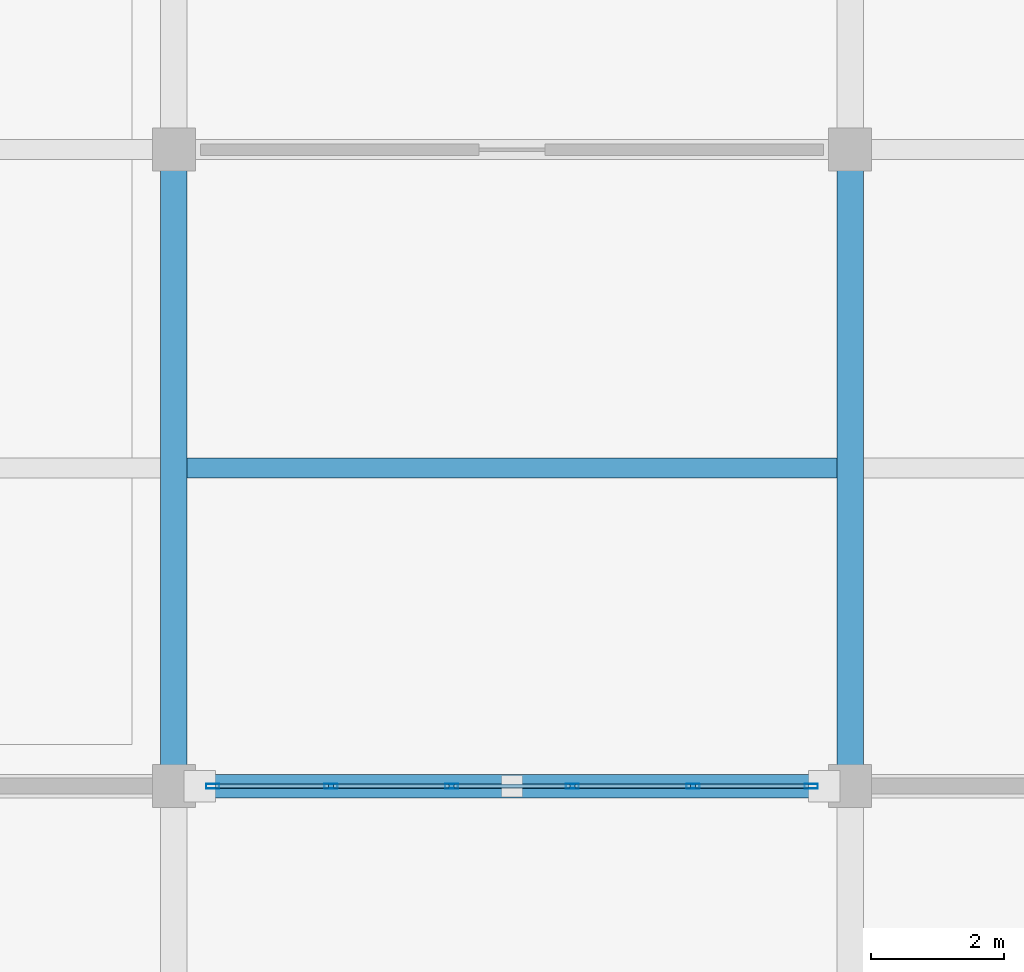
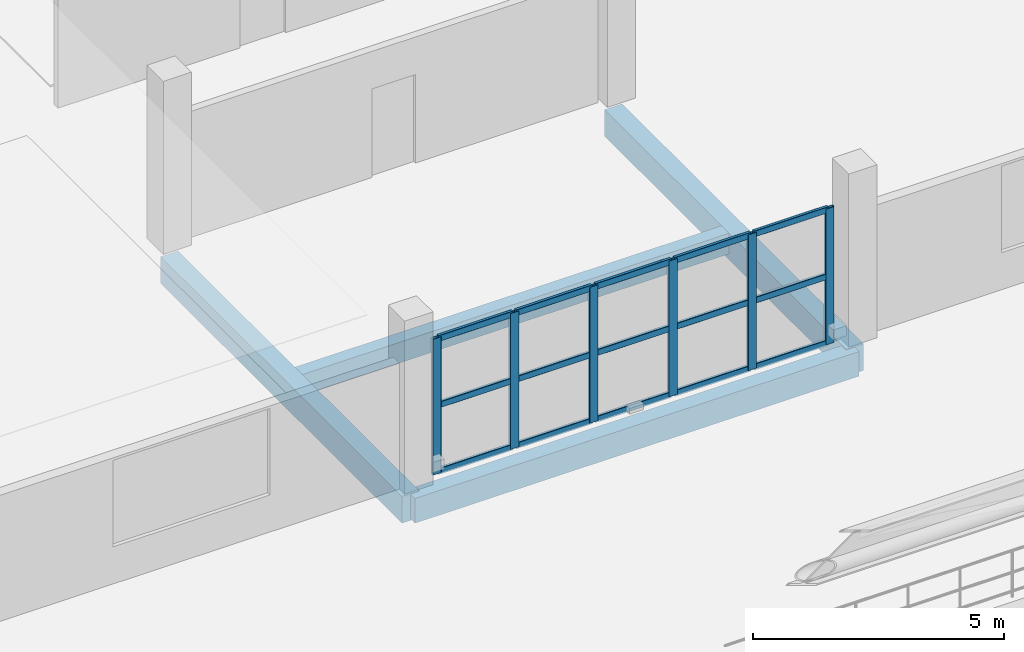
# One storey, part 44 of 135: 21 members, 4 beams, 1 element without a shape of its own.
"""IFC4 building model written with IfcOpenShell, lengths in metres."""

from ifc_helpers import new_model, si_unit, direction, frame, origin, origin_2d, place, context, subcontext, project, spatial, rectangle, hollow_rectangle, extrude, material, material_profile, profile_set, type_object, element, aggregate, save


model = new_model("IFC4")

# Units and contexts
model_context = context("Model", 3, precision=1e-05, world=origin(), true_north=direction((0.0, 1.0)))
body_context = subcontext(model_context, "Body", "Model", "MODEL_VIEW")
ifc_project = project(units=[si_unit("LENGTHUNIT", "METRE"), si_unit("AREAUNIT", "SQUARE_METRE"), si_unit("VOLUMEUNIT", "CUBIC_METRE"), si_unit("PLANEANGLEUNIT", "RADIAN"), si_unit("MASSUNIT", "GRAM", prefix="KILO")], contexts=[model_context])

# Site, building, storey
site_placement = place(None, origin())
site = spatial("IfcSite", under=ifc_project, at=site_placement, CompositionType="ELEMENT")
building_placement = place(site_placement, origin())
building = spatial("IfcBuilding", under=site, at=building_placement, Name="Brelvane Convention Centre", CompositionType="ELEMENT")
storey_placement = place(building_placement, frame((0.0, 0.0, 15.0)))
storey = spatial("IfcBuildingStorey", under=building, at=storey_placement, Name="L03", CompositionType="ELEMENT", Elevation=15.0)

# Curtain wall, members
ifc_material_1 = material(Name="Anodised Aluminium Alloy 6063-T6", Category="aluminium")
curtain_wall_type = type_object("IfcCurtainWallType", Name="Curtain Wall CW-COURT", PredefinedType="USERDEFINED", material=ifc_material_1)
curtain_wall_placement = place(storey_placement, origin())
curtain_wall = element("IfcCurtainWall", 1, at=curtain_wall_placement, inside=storey, type_object=curtain_wall_type, Name="Curtain Wall CW-COURT L03-V4S-09", ObjectType="UNITISED", PredefinedType="USERDEFINED")
ifc_material_2 = material(Name="Anodised Aluminium Alloy 6063-T6", Category="aluminium")
ifc_material_profile_1 = material_profile(ifc_material_2, hollow_rectangle(XDim=0.074951171875, YDim=0.199951171875, WallThickness=0.0048828125, InnerFilletRadius=0.0048828125, OuterFilletRadius=0.010009765625, at=origin_2d()), Name="ALU-M 200x75x5.0")
ifc_profile_set_1 = profile_set([ifc_material_profile_1], Name="Anodised Aluminium Alloy 6063-T6")
member_type_1 = type_object("IfcMemberType", Name="Curtain Mullion CW-M2", PredefinedType="MULLION", material=ifc_profile_set_1)
member_1_placement = place(storey_placement, frame((82.1875, 109.199951171875, 0.0), z_axis=(0.0, 0.0, 1.0), x_axis=(0.0, 1.0, 0.0)))
member_1 = element("IfcMember", 2, at=member_1_placement, type_object=member_type_1, Name="CW-COURT mullion 1", PredefinedType="MULLION", context=body_context, shape_type="SweptSolid", body=[
    extrude(hollow_rectangle(XDim=0.074951171875, YDim=0.199951171875, WallThickness=0.0048828125, InnerFilletRadius=0.0048828125, OuterFilletRadius=0.010009765625, at=origin_2d()), origin(), (0.0, 0.0, 1.0), 3.300048828125),
])
member_2_placement = place(storey_placement, frame((83.969970703125, 109.199951171875, 0.0), z_axis=(0.0, 0.0, 1.0), x_axis=(0.0, 1.0, 0.0)))
member_2 = element("IfcMember", 3, at=member_2_placement, type_object=member_type_1, Name="CW-COURT mullion 2", PredefinedType="MULLION", context=body_context, shape_type="SweptSolid", body=[
    extrude(hollow_rectangle(XDim=0.074951171875, YDim=0.199951171875, WallThickness=0.0048828125, InnerFilletRadius=0.0048828125, OuterFilletRadius=0.010009765625, at=origin_2d()), origin(), (0.0, 0.0, 1.0), 3.300048828125),
])
member_3_placement = place(storey_placement, frame((85.7900390625, 109.199951171875, 0.0), z_axis=(0.0, 0.0, 1.0), x_axis=(0.0, 1.0, 0.0)))
member_3 = element("IfcMember", 4, at=member_3_placement, type_object=member_type_1, Name="CW-COURT mullion 3", PredefinedType="MULLION", context=body_context, shape_type="SweptSolid", body=[
    extrude(hollow_rectangle(XDim=0.074951171875, YDim=0.199951171875, WallThickness=0.0048828125, InnerFilletRadius=0.0048828125, OuterFilletRadius=0.010009765625, at=origin_2d()), origin(), (0.0, 0.0, 1.0), 3.300048828125),
])
member_4_placement = place(storey_placement, frame((87.610107421875, 109.199951171875, 0.0), z_axis=(0.0, 0.0, 1.0), x_axis=(0.0, 1.0, 0.0)))
member_4 = element("IfcMember", 5, at=member_4_placement, type_object=member_type_1, Name="CW-COURT mullion 4", PredefinedType="MULLION", context=body_context, shape_type="SweptSolid", body=[
    extrude(hollow_rectangle(XDim=0.074951171875, YDim=0.199951171875, WallThickness=0.0048828125, InnerFilletRadius=0.0048828125, OuterFilletRadius=0.010009765625, at=origin_2d()), origin(), (0.0, 0.0, 1.0), 3.300048828125),
])
member_5_placement = place(storey_placement, frame((89.429931640625, 109.199951171875, 0.0), z_axis=(0.0, 0.0, 1.0), x_axis=(0.0, 1.0, 0.0)))
member_5 = element("IfcMember", 6, at=member_5_placement, type_object=member_type_1, Name="CW-COURT mullion 5", PredefinedType="MULLION", context=body_context, shape_type="SweptSolid", body=[
    extrude(hollow_rectangle(XDim=0.074951171875, YDim=0.199951171875, WallThickness=0.0048828125, InnerFilletRadius=0.0048828125, OuterFilletRadius=0.010009765625, at=origin_2d()), origin(), (0.0, 0.0, 1.0), 3.300048828125),
])
member_6_placement = place(storey_placement, frame((91.21240234375, 109.199951171875, 0.0), z_axis=(0.0, 0.0, 1.0), x_axis=(0.0, 1.0, 0.0)))
member_6 = element("IfcMember", 7, at=member_6_placement, type_object=member_type_1, Name="CW-COURT mullion 6", PredefinedType="MULLION", context=body_context, shape_type="SweptSolid", body=[
    extrude(hollow_rectangle(XDim=0.074951171875, YDim=0.199951171875, WallThickness=0.0048828125, InnerFilletRadius=0.0048828125, OuterFilletRadius=0.010009765625, at=origin_2d()), origin(), (0.0, 0.0, 1.0), 3.300048828125),
])
ifc_material_3 = material(Name="Anodised Aluminium Alloy 6063-T6", Category="aluminium")
ifc_material_profile_2 = material_profile(ifc_material_3, hollow_rectangle(XDim=0.070068359375, YDim=0.14990234375, WallThickness=0.00439453125, InnerFilletRadius=0.00439453125, OuterFilletRadius=0.009033203125, at=origin_2d()), Name="ALU-T 150x70x4.5")
ifc_profile_set_2 = profile_set([ifc_material_profile_2], Name="Anodised Aluminium Alloy 6063-T6")
member_type_2 = type_object("IfcMemberType", Name="Curtain Transom CW-T2", PredefinedType="USERDEFINED", material=ifc_profile_set_2)
member_7_placement = place(storey_placement, frame((82.22509765625, 109.199951171875, 0.034912109375), z_axis=(1.0, 0.0, 0.0), x_axis=(0.0, 1.0, 0.0)))
member_7 = element("IfcMember", 8, at=member_7_placement, type_object=member_type_2, Name="CW-COURT transom 1.1", ObjectType="TRANSOM", PredefinedType="USERDEFINED", context=body_context, shape_type="SweptSolid", body=[
    extrude(hollow_rectangle(XDim=0.070068359375, YDim=0.14990234375, WallThickness=0.00439453125, InnerFilletRadius=0.00439453125, OuterFilletRadius=0.009033203125, at=origin_2d()), origin(), (0.0, 0.0, 1.0), 1.70751953125),
])
member_8_placement = place(storey_placement, frame((82.22509765625, 109.199951171875, 1.64990234375), z_axis=(1.0, 0.0, 0.0), x_axis=(0.0, 1.0, 0.0)))
member_8 = element("IfcMember", 9, at=member_8_placement, type_object=member_type_2, Name="CW-COURT transom 1.2", ObjectType="TRANSOM", PredefinedType="USERDEFINED", context=body_context, shape_type="SweptSolid", body=[
    extrude(hollow_rectangle(XDim=0.070068359375, YDim=0.14990234375, WallThickness=0.00439453125, InnerFilletRadius=0.00439453125, OuterFilletRadius=0.009033203125, at=origin_2d()), origin(), (0.0, 0.0, 1.0), 1.70751953125),
])
member_9_placement = place(storey_placement, frame((82.22509765625, 109.199951171875, 3.264892578125), z_axis=(1.0, 0.0, 0.0), x_axis=(0.0, 1.0, 0.0)))
member_9 = element("IfcMember", 10, at=member_9_placement, type_object=member_type_2, Name="CW-COURT transom 1.3", ObjectType="TRANSOM", PredefinedType="USERDEFINED", context=body_context, shape_type="SweptSolid", body=[
    extrude(hollow_rectangle(XDim=0.070068359375, YDim=0.14990234375, WallThickness=0.00439453125, InnerFilletRadius=0.00439453125, OuterFilletRadius=0.009033203125, at=origin_2d()), origin(), (0.0, 0.0, 1.0), 1.70751953125),
])
member_10_placement = place(storey_placement, frame((84.007568359375, 109.199951171875, 0.034912109375), z_axis=(1.0, 0.0, 0.0), x_axis=(0.0, 1.0, 0.0)))
member_10 = element("IfcMember", 11, at=member_10_placement, type_object=member_type_2, Name="CW-COURT transom 2.1", ObjectType="TRANSOM", PredefinedType="USERDEFINED", context=body_context, shape_type="SweptSolid", body=[
    extrude(hollow_rectangle(XDim=0.070068359375, YDim=0.14990234375, WallThickness=0.00439453125, InnerFilletRadius=0.00439453125, OuterFilletRadius=0.009033203125, at=origin_2d()), origin(), (0.0, 0.0, 1.0), 1.744873046875),
])
member_11_placement = place(storey_placement, frame((84.007568359375, 109.199951171875, 1.64990234375), z_axis=(1.0, 0.0, 0.0), x_axis=(0.0, 1.0, 0.0)))
member_11 = element("IfcMember", 12, at=member_11_placement, type_object=member_type_2, Name="CW-COURT transom 2.2", ObjectType="TRANSOM", PredefinedType="USERDEFINED", context=body_context, shape_type="SweptSolid", body=[
    extrude(hollow_rectangle(XDim=0.070068359375, YDim=0.14990234375, WallThickness=0.00439453125, InnerFilletRadius=0.00439453125, OuterFilletRadius=0.009033203125, at=origin_2d()), origin(), (0.0, 0.0, 1.0), 1.744873046875),
])
member_12_placement = place(storey_placement, frame((84.007568359375, 109.199951171875, 3.264892578125), z_axis=(1.0, 0.0, 0.0), x_axis=(0.0, 1.0, 0.0)))
member_12 = element("IfcMember", 13, at=member_12_placement, type_object=member_type_2, Name="CW-COURT transom 2.3", ObjectType="TRANSOM", PredefinedType="USERDEFINED", context=body_context, shape_type="SweptSolid", body=[
    extrude(hollow_rectangle(XDim=0.070068359375, YDim=0.14990234375, WallThickness=0.00439453125, InnerFilletRadius=0.00439453125, OuterFilletRadius=0.009033203125, at=origin_2d()), origin(), (0.0, 0.0, 1.0), 1.744873046875),
])
member_13_placement = place(storey_placement, frame((85.827392578125, 109.199951171875, 0.034912109375), z_axis=(1.0, 0.0, 0.0), x_axis=(0.0, 1.0, 0.0)))
member_13 = element("IfcMember", 14, at=member_13_placement, type_object=member_type_2, Name="CW-COURT transom 3.1", ObjectType="TRANSOM", PredefinedType="USERDEFINED", context=body_context, shape_type="SweptSolid", body=[
    extrude(hollow_rectangle(XDim=0.070068359375, YDim=0.14990234375, WallThickness=0.00439453125, InnerFilletRadius=0.00439453125, OuterFilletRadius=0.009033203125, at=origin_2d()), origin(), (0.0, 0.0, 1.0), 1.7451171875),
])
member_14_placement = place(storey_placement, frame((85.827392578125, 109.199951171875, 1.64990234375), z_axis=(1.0, 0.0, 0.0), x_axis=(0.0, 1.0, 0.0)))
member_14 = element("IfcMember", 15, at=member_14_placement, type_object=member_type_2, Name="CW-COURT transom 3.2", ObjectType="TRANSOM", PredefinedType="USERDEFINED", context=body_context, shape_type="SweptSolid", body=[
    extrude(hollow_rectangle(XDim=0.070068359375, YDim=0.14990234375, WallThickness=0.00439453125, InnerFilletRadius=0.00439453125, OuterFilletRadius=0.009033203125, at=origin_2d()), origin(), (0.0, 0.0, 1.0), 1.7451171875),
])
member_15_placement = place(storey_placement, frame((85.827392578125, 109.199951171875, 3.264892578125), z_axis=(1.0, 0.0, 0.0), x_axis=(0.0, 1.0, 0.0)))
member_15 = element("IfcMember", 16, at=member_15_placement, type_object=member_type_2, Name="CW-COURT transom 3.3", ObjectType="TRANSOM", PredefinedType="USERDEFINED", context=body_context, shape_type="SweptSolid", body=[
    extrude(hollow_rectangle(XDim=0.070068359375, YDim=0.14990234375, WallThickness=0.00439453125, InnerFilletRadius=0.00439453125, OuterFilletRadius=0.009033203125, at=origin_2d()), origin(), (0.0, 0.0, 1.0), 1.7451171875),
])
member_16_placement = place(storey_placement, frame((87.6474609375, 109.199951171875, 0.034912109375), z_axis=(1.0, 0.0, 0.0), x_axis=(0.0, 1.0, 0.0)))
member_16 = element("IfcMember", 17, at=member_16_placement, type_object=member_type_2, Name="CW-COURT transom 4.1", ObjectType="TRANSOM", PredefinedType="USERDEFINED", context=body_context, shape_type="SweptSolid", body=[
    extrude(hollow_rectangle(XDim=0.070068359375, YDim=0.14990234375, WallThickness=0.00439453125, InnerFilletRadius=0.00439453125, OuterFilletRadius=0.009033203125, at=origin_2d()), origin(), (0.0, 0.0, 1.0), 1.7451171875),
])
member_17_placement = place(storey_placement, frame((87.6474609375, 109.199951171875, 1.64990234375), z_axis=(1.0, 0.0, 0.0), x_axis=(0.0, 1.0, 0.0)))
member_17 = element("IfcMember", 18, at=member_17_placement, type_object=member_type_2, Name="CW-COURT transom 4.2", ObjectType="TRANSOM", PredefinedType="USERDEFINED", context=body_context, shape_type="SweptSolid", body=[
    extrude(hollow_rectangle(XDim=0.070068359375, YDim=0.14990234375, WallThickness=0.00439453125, InnerFilletRadius=0.00439453125, OuterFilletRadius=0.009033203125, at=origin_2d()), origin(), (0.0, 0.0, 1.0), 1.7451171875),
])
member_18_placement = place(storey_placement, frame((87.6474609375, 109.199951171875, 3.264892578125), z_axis=(1.0, 0.0, 0.0), x_axis=(0.0, 1.0, 0.0)))
member_18 = element("IfcMember", 19, at=member_18_placement, type_object=member_type_2, Name="CW-COURT transom 4.3", ObjectType="TRANSOM", PredefinedType="USERDEFINED", context=body_context, shape_type="SweptSolid", body=[
    extrude(hollow_rectangle(XDim=0.070068359375, YDim=0.14990234375, WallThickness=0.00439453125, InnerFilletRadius=0.00439453125, OuterFilletRadius=0.009033203125, at=origin_2d()), origin(), (0.0, 0.0, 1.0), 1.7451171875),
])
member_19_placement = place(storey_placement, frame((89.467529296875, 109.199951171875, 0.034912109375), z_axis=(1.0, 0.0, 0.0), x_axis=(0.0, 1.0, 0.0)))
member_19 = element("IfcMember", 20, at=member_19_placement, type_object=member_type_2, Name="CW-COURT transom 5.1", ObjectType="TRANSOM", PredefinedType="USERDEFINED", context=body_context, shape_type="SweptSolid", body=[
    extrude(hollow_rectangle(XDim=0.070068359375, YDim=0.14990234375, WallThickness=0.00439453125, InnerFilletRadius=0.00439453125, OuterFilletRadius=0.009033203125, at=origin_2d()), origin(), (0.0, 0.0, 1.0), 1.70751953125),
])
member_20_placement = place(storey_placement, frame((89.467529296875, 109.199951171875, 1.64990234375), z_axis=(1.0, 0.0, 0.0), x_axis=(0.0, 1.0, 0.0)))
member_20 = element("IfcMember", 21, at=member_20_placement, type_object=member_type_2, Name="CW-COURT transom 5.2", ObjectType="TRANSOM", PredefinedType="USERDEFINED", context=body_context, shape_type="SweptSolid", body=[
    extrude(hollow_rectangle(XDim=0.070068359375, YDim=0.14990234375, WallThickness=0.00439453125, InnerFilletRadius=0.00439453125, OuterFilletRadius=0.009033203125, at=origin_2d()), origin(), (0.0, 0.0, 1.0), 1.70751953125),
])
member_21_placement = place(storey_placement, frame((89.467529296875, 109.199951171875, 3.264892578125), z_axis=(1.0, 0.0, 0.0), x_axis=(0.0, 1.0, 0.0)))
member_21 = element("IfcMember", 22, at=member_21_placement, type_object=member_type_2, Name="CW-COURT transom 5.3", ObjectType="TRANSOM", PredefinedType="USERDEFINED", context=body_context, shape_type="SweptSolid", body=[
    extrude(hollow_rectangle(XDim=0.070068359375, YDim=0.14990234375, WallThickness=0.00439453125, InnerFilletRadius=0.00439453125, OuterFilletRadius=0.009033203125, at=origin_2d()), origin(), (0.0, 0.0, 1.0), 1.70751953125),
])
aggregate(curtain_wall, [member_1, member_2, member_3, member_4, member_5, member_6, member_7, member_8, member_9, member_10, member_11, member_12, member_13, member_14, member_15, member_16, member_17, member_18, member_19, member_20, member_21])

# Beams
ifc_material_4 = material(Name="Concrete M40", Category="concrete")
ifc_material_profile_3 = material_profile(ifc_material_4, rectangle(XDim=0.39990234375, YDim=0.64990234375, at=origin_2d()), Name="RC 400x650")
ifc_profile_set_3 = profile_set([ifc_material_profile_3], Name="Concrete M40")
beam_type_1 = type_object("IfcBeamType", Name="RC Beam B-RC7 (RC 400x650)", PredefinedType="BEAM", material=ifc_profile_set_3)
for number, where, z_axis, x_axis, name in (
    (23, (81.60009765625, 109.199951171875, -0.6201171875), (0.0, 1.0, 0.0), (-1.0, 0.0, 0.0), "L03 Girder 9/L-M"),
    (24, (91.800048828125, 109.199951171875, -0.6201171875), (0.0, 1.0, 0.0), (-1.0, 0.0, 0.0), "L03 Girder 10/L-M"),
):
    element("IfcBeam", number, at=place(storey_placement, frame(where, z_axis=z_axis, x_axis=x_axis)), inside=storey, type_object=beam_type_1, Name=name, PredefinedType="BEAM", context=body_context, shape_type="SweptSolid", body=[
        extrude(rectangle(XDim=0.39990234375, YDim=0.64990234375, at=origin_2d()), origin(), (0.0, 0.0, 1.0), 9.60009765625),
    ])
ifc_material_5 = material(Name="Concrete M40", Category="concrete")
ifc_material_profile_4 = material_profile(ifc_material_5, rectangle(XDim=0.300048828125, YDim=0.5, at=origin_2d()), Name="RC 300x500")
ifc_profile_set_4 = profile_set([ifc_material_profile_4], Name="Concrete M40")
beam_type_2 = type_object("IfcBeamType", Name="RC Joist J-RC2 (RC 300x500)", PredefinedType="JOIST", material=ifc_profile_set_4)
beam_1_placement = place(storey_placement, frame((81.800048828125, 114.0, -0.544921875), z_axis=(1.0, 0.0, 0.0), x_axis=(0.0, 1.0, 0.0)))
element("IfcBeam", 25, at=beam_1_placement, inside=storey, type_object=beam_type_2, Name="L03 Secondary Joist 9-10/LM", PredefinedType="JOIST", context=body_context, shape_type="SweptSolid", body=[
    extrude(rectangle(XDim=0.300048828125, YDim=0.5, at=origin_2d()), origin(), (0.0, 0.0, 1.0), 9.800048828125),
])
ifc_material_6 = material(Name="Concrete M40", Category="concrete")
ifc_material_profile_5 = material_profile(ifc_material_6, rectangle(XDim=0.35009765625, YDim=0.60009765625, at=origin_2d()), Name="RC 350x600")
ifc_profile_set_5 = profile_set([ifc_material_profile_5], Name="Concrete M40")
beam_type_3 = type_object("IfcBeamType", Name="RC Spandrel SP-RC2 (RC 350x600)", PredefinedType="SPANDREL", material=ifc_profile_set_5)
beam_2_placement = place(storey_placement, frame((81.60009765625, 109.199951171875, -0.610107421875), z_axis=(1.0, 0.0, 0.0), x_axis=(0.0, 1.0, 0.0)))
element("IfcBeam", 26, at=beam_2_placement, inside=storey, type_object=beam_type_3, Name="L03 Beam 9-10/L", PredefinedType="SPANDREL", context=body_context, shape_type="SweptSolid", body=[
    extrude(rectangle(XDim=0.35009765625, YDim=0.60009765625, at=origin_2d()), origin(), (0.0, 0.0, 1.0), 10.199951171875),
])

save(model, "model.ifc")
